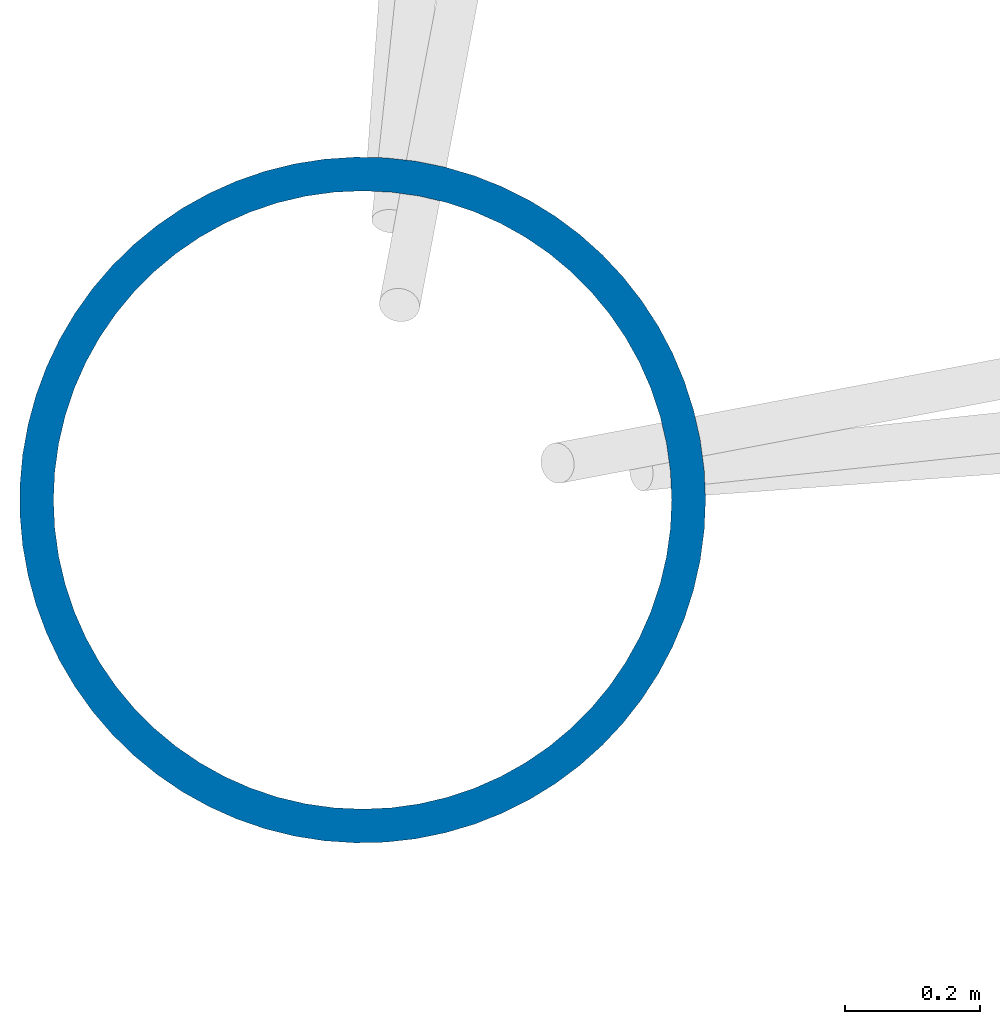
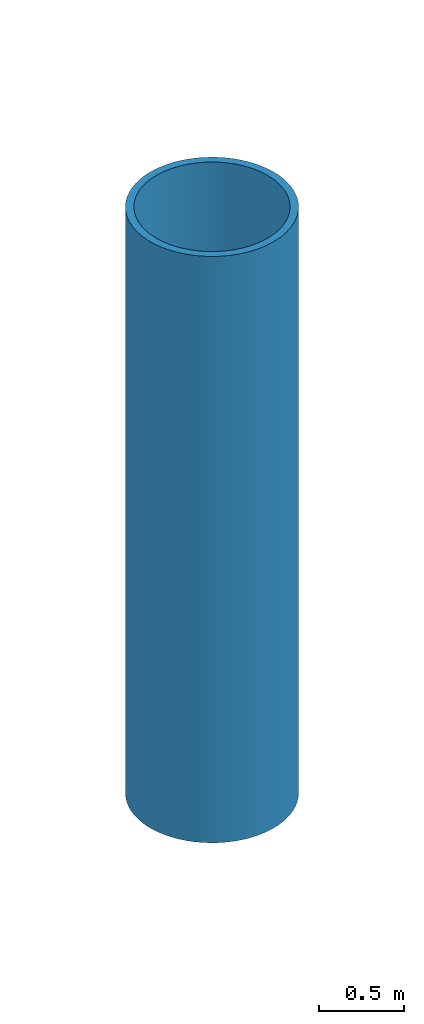
# One storey, part 1 of 18: 1 column.
"""IFC4 building model written with IfcOpenShell, lengths in metres."""

from ifc_helpers import new_model, si_unit, direction, frame, origin, origin_2d, place, context, subcontext, project, spatial, hollow_circle, extrude, material, material_profile, profile_set, type_object, element, save


model = new_model("IFC4")

# Units and contexts
model_context = context("Model", 3, precision=1e-05, world=origin(), true_north=direction((0.0, 1.0)))
body_context = subcontext(model_context, "Body", "Model", "MODEL_VIEW")
ifc_project = project(units=[si_unit("LENGTHUNIT", "METRE"), si_unit("AREAUNIT", "SQUARE_METRE"), si_unit("VOLUMEUNIT", "CUBIC_METRE"), si_unit("PLANEANGLEUNIT", "RADIAN"), si_unit("MASSUNIT", "GRAM", prefix="KILO")], contexts=[model_context])

# Site, building, storey
site_placement = place(None, origin())
site = spatial("IfcSite", under=ifc_project, at=site_placement, CompositionType="ELEMENT")
building_placement = place(site_placement, origin())
building = spatial("IfcBuilding", under=site, at=building_placement, Name="Cresset Court Congress Hotel", CompositionType="ELEMENT")
storey_placement = place(building_placement, frame((0.0, 0.0, 35.39990234375)))
storey = spatial("IfcBuildingStorey", under=building, at=storey_placement, Name="L08", CompositionType="ELEMENT", Elevation=35.39990234375)

# Column
ifc_material = material(Name="Structural steel Q355B", Category="steel")
ifc_material_profile = material_profile(ifc_material, hollow_circle(Radius=0.508056640625, WallThickness=0.050048828125, at=origin_2d()), Name="CHS1016x50")
ifc_profile_set = profile_set([ifc_material_profile], Name="Structural steel Q355B")
column_type = type_object("IfcColumnType", Name="Mast tube 1016x50", PredefinedType="COLUMN", material=ifc_profile_set)
column_placement = place(storey_placement, frame((55.800048828125, 55.800048828125, 0.0), z_axis=(0.0, 0.0, 1.0), x_axis=(1.0, 0.0, 0.0)))
element("IfcColumn", 1, at=column_placement, inside=storey, type_object=column_type, Name="Mast M1", PredefinedType="COLUMN", context=body_context, shape_type="SweptSolid", body=[
    extrude(hollow_circle(Radius=0.508056640625, WallThickness=0.050048828125, at=origin_2d()), origin(), (0.0, 0.0, 1.0), 4.2001953125),
])

save(model, "model.ifc")
